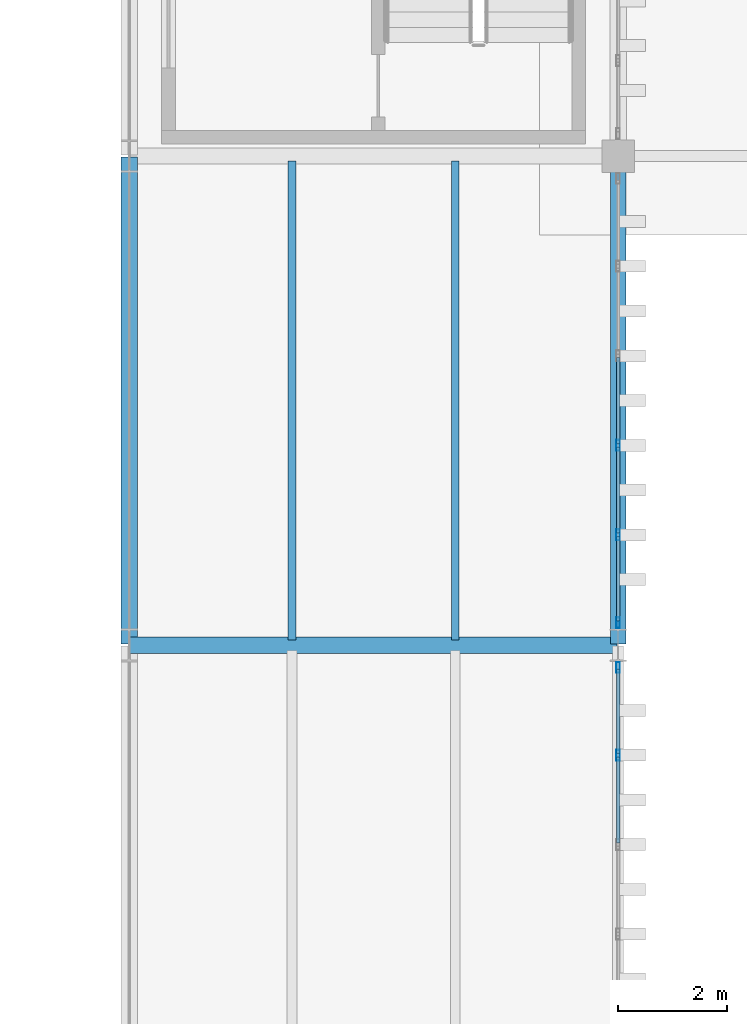
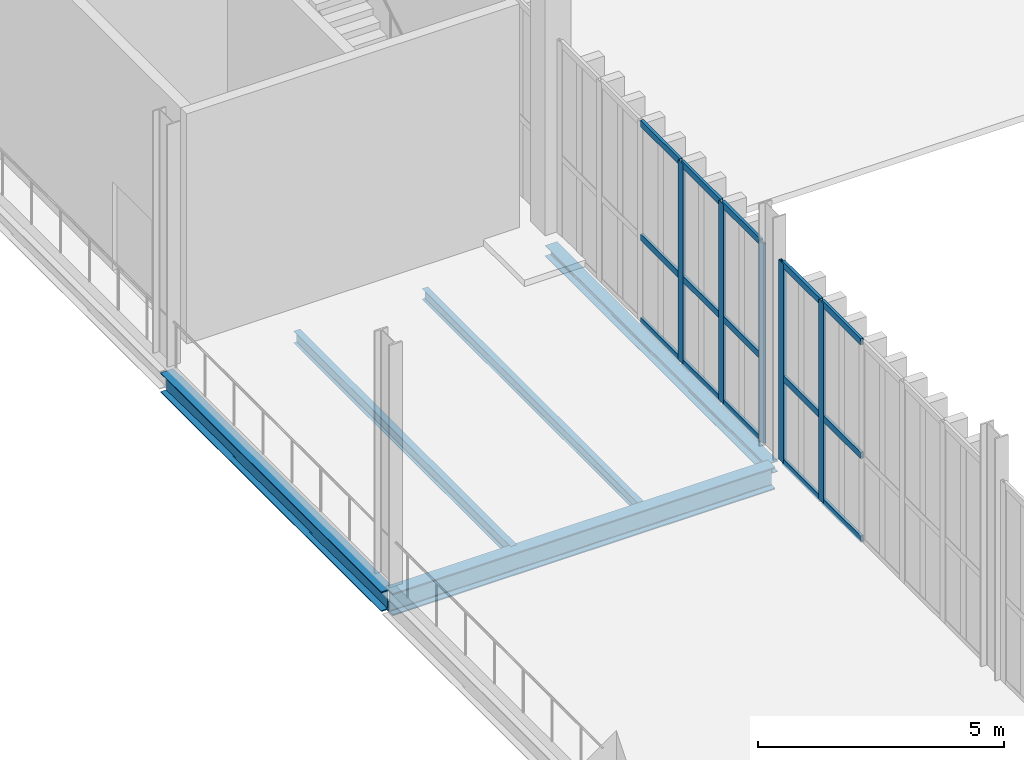
# One storey, part 44 of 211: 20 members, 5 beams, 2 elements without a shape of their own.
"""IFC4 building model written with IfcOpenShell, lengths in metres."""

from ifc_helpers import new_model, si_unit, direction, frame, origin, origin_2d, place, context, subcontext, project, spatial, hollow_rectangle, i_section, extrude, material, layer, layer_set, material_profile, profile_set, type_object, element, aggregate, save


model = new_model("IFC4")

# Units and contexts
model_context = context("Model", 3, precision=1e-05, world=origin(), true_north=direction((0.0, 1.0)))
body_context = subcontext(model_context, "Body", "Model", "MODEL_VIEW")
ifc_project = project(units=[si_unit("LENGTHUNIT", "METRE"), si_unit("AREAUNIT", "SQUARE_METRE"), si_unit("VOLUMEUNIT", "CUBIC_METRE"), si_unit("PLANEANGLEUNIT", "RADIAN"), si_unit("MASSUNIT", "GRAM", prefix="KILO")], contexts=[model_context])

# Site, building, storey
site_placement = place(None, origin())
site = spatial("IfcSite", under=ifc_project, at=site_placement, CompositionType="ELEMENT")
building_placement = place(site_placement, origin())
building = spatial("IfcBuilding", under=site, at=building_placement, Name="Barlavento Convention Centre", CompositionType="ELEMENT")
storey_placement = place(building_placement, frame((0.0, 0.0, 6.0)))
storey = spatial("IfcBuildingStorey", under=building, at=storey_placement, Name="L01", CompositionType="ELEMENT", Elevation=6.0)

# Curtain wall, members
ifc_material_1 = material(Name="Powder-coated aluminium and Low-E glass", Category="aluminium")
ifc_layer = layer(ifc_material_1, 0.18505859375)
ifc_layer_set = layer_set([ifc_layer], Name="ARC-CW-CONG-L01")
curtain_wall_type = type_object("IfcCurtainWallType", Name="ARC-CW-CONG-L01", PredefinedType="NOTDEFINED", material=ifc_layer_set)
curtain_wall_1_placement = place(storey_placement, origin())
curtain_wall_1 = element("IfcCurtainWall", 1, at=curtain_wall_1_placement, inside=storey, type_object=curtain_wall_type, Name="L01 unitised curtain wall CW01", PredefinedType="NOTDEFINED")
ifc_material_2 = material(Name="Powder-coated aluminium", Category="aluminium")
ifc_material_profile_1 = material_profile(ifc_material_2, hollow_rectangle(XDim=0.06494140625, YDim=0.199951171875, WallThickness=0.0048828125, at=origin_2d()), Name="AL-MULL 65x200x5")
ifc_profile_set_1 = profile_set([ifc_material_profile_1], Name="Powder-coated aluminium")
member_type_1 = type_object("IfcMemberType", Name="ARC-CWM-65X200", PredefinedType="MULLION", material=ifc_profile_set_1)
member_1_placement = place(storey_placement, frame((63.0, 24.97412109375, 0.0), z_axis=(0.0, 0.0, 1.0), x_axis=(-1.0, 0.0, 0.0)))
member_1 = element("IfcMember", 2, at=member_1_placement, type_object=member_type_1, Name="CW01 mullion 5", PredefinedType="MULLION", context=body_context, shape_type="SweptSolid", body=[
    extrude(hollow_rectangle(XDim=0.06494140625, YDim=0.199951171875, WallThickness=0.0048828125, at=origin_2d()), origin(), (0.0, 0.0, 1.0), 4.949951171875),
])
member_2_placement = place(storey_placement, frame((63.0, 26.58740234375, 0.0), z_axis=(0.0, 0.0, 1.0), x_axis=(-1.0, 0.0, 0.0)))
member_2 = element("IfcMember", 3, at=member_2_placement, type_object=member_type_1, Name="CW01 mullion 6", PredefinedType="MULLION", context=body_context, shape_type="SweptSolid", body=[
    extrude(hollow_rectangle(XDim=0.06494140625, YDim=0.199951171875, WallThickness=0.0048828125, at=origin_2d()), origin(), (0.0, 0.0, 1.0), 4.949951171875),
])

curtain_wall_2_placement = place(storey_placement, origin())
curtain_wall_2 = element("IfcCurtainWall", 4, at=curtain_wall_2_placement, inside=storey, type_object=curtain_wall_type, Name="L01 unitised curtain wall CW01", PredefinedType="NOTDEFINED")
member_3_placement = place(storey_placement, frame((63.0, 27.41259765625, 0.0), z_axis=(0.0, 0.0, 1.0), x_axis=(-1.0, 0.0, 0.0)))
member_3 = element("IfcMember", 5, at=member_3_placement, type_object=member_type_1, Name="CW01 mullion 1", PredefinedType="MULLION", context=body_context, shape_type="SweptSolid", body=[
    extrude(hollow_rectangle(XDim=0.06494140625, YDim=0.199951171875, WallThickness=0.0048828125, at=origin_2d()), origin(), (0.0, 0.0, 1.0), 4.949951171875),
])
member_4_placement = place(storey_placement, frame((63.0, 29.028076171875, 0.0), z_axis=(0.0, 0.0, 1.0), x_axis=(-1.0, 0.0, 0.0)))
member_4 = element("IfcMember", 6, at=member_4_placement, type_object=member_type_1, Name="CW01 mullion 2", PredefinedType="MULLION", context=body_context, shape_type="SweptSolid", body=[
    extrude(hollow_rectangle(XDim=0.06494140625, YDim=0.199951171875, WallThickness=0.0048828125, at=origin_2d()), origin(), (0.0, 0.0, 1.0), 4.949951171875),
])
member_5_placement = place(storey_placement, frame((63.0, 30.676025390625, 0.0), z_axis=(0.0, 0.0, 1.0), x_axis=(-1.0, 0.0, 0.0)))
member_5 = element("IfcMember", 7, at=member_5_placement, type_object=member_type_1, Name="CW01 mullion 3", PredefinedType="MULLION", context=body_context, shape_type="SweptSolid", body=[
    extrude(hollow_rectangle(XDim=0.06494140625, YDim=0.199951171875, WallThickness=0.0048828125, at=origin_2d()), origin(), (0.0, 0.0, 1.0), 4.949951171875),
])

# Member
ifc_material_profile_2 = material_profile(ifc_material_2, hollow_rectangle(XDim=0.06494140625, YDim=0.159912109375, WallThickness=0.0048828125, at=origin_2d()), Name="AL-TRAN 65x160x5")
ifc_profile_set_2 = profile_set([ifc_material_profile_2], Name="Powder-coated aluminium")
member_type_2 = type_object("IfcMemberType", Name="ARC-CWT-65X160", PredefinedType="USERDEFINED", material=ifc_profile_set_2)
member_6_placement = place(storey_placement, frame((63.0, 23.360595703125, 0.032470703125), z_axis=(0.0, 1.0, 0.0), x_axis=(-1.0, 0.0, 0.0)))
member_6 = element("IfcMember", 8, at=member_6_placement, type_object=member_type_2, Name="CW01 transom 4.1", ObjectType="TRANSOM", PredefinedType="USERDEFINED", context=body_context, shape_type="SweptSolid", body=[
    extrude(hollow_rectangle(XDim=0.06494140625, YDim=0.159912109375, WallThickness=0.0048828125, at=origin_2d()), origin(), (0.0, 0.0, 1.0), 1.580810546875),
])

member_7_placement = place(storey_placement, frame((63.0, 23.360595703125, 2.10009765625), z_axis=(0.0, 1.0, 0.0), x_axis=(-1.0, 0.0, 0.0)))
member_7 = element("IfcMember", 9, at=member_7_placement, type_object=member_type_2, Name="CW01 transom 4.2", ObjectType="TRANSOM", PredefinedType="USERDEFINED", context=body_context, shape_type="SweptSolid", body=[
    extrude(hollow_rectangle(XDim=0.06494140625, YDim=0.159912109375, WallThickness=0.0048828125, at=origin_2d()), origin(), (0.0, 0.0, 1.0), 1.580810546875),
])

member_8_placement = place(storey_placement, frame((63.0, 23.360595703125, 4.91748046875), z_axis=(0.0, 1.0, 0.0), x_axis=(-1.0, 0.0, 0.0)))
member_8 = element("IfcMember", 10, at=member_8_placement, type_object=member_type_2, Name="CW01 transom 4.3", ObjectType="TRANSOM", PredefinedType="USERDEFINED", context=body_context, shape_type="SweptSolid", body=[
    extrude(hollow_rectangle(XDim=0.06494140625, YDim=0.159912109375, WallThickness=0.0048828125, at=origin_2d()), origin(), (0.0, 0.0, 1.0), 1.580810546875),
])

member_9_placement = place(storey_placement, frame((63.0, 25.006591796875, 0.032470703125), z_axis=(0.0, 1.0, 0.0), x_axis=(-1.0, 0.0, 0.0)))
member_9 = element("IfcMember", 11, at=member_9_placement, type_object=member_type_2, Name="CW01 transom 5.1", ObjectType="TRANSOM", PredefinedType="USERDEFINED", context=body_context, shape_type="SweptSolid", body=[
    extrude(hollow_rectangle(XDim=0.06494140625, YDim=0.159912109375, WallThickness=0.0048828125, at=origin_2d()), origin(), (0.0, 0.0, 1.0), 1.54833984375),
])

member_10_placement = place(storey_placement, frame((63.0, 25.006591796875, 2.10009765625), z_axis=(0.0, 1.0, 0.0), x_axis=(-1.0, 0.0, 0.0)))
member_10 = element("IfcMember", 12, at=member_10_placement, type_object=member_type_2, Name="CW01 transom 5.2", ObjectType="TRANSOM", PredefinedType="USERDEFINED", context=body_context, shape_type="SweptSolid", body=[
    extrude(hollow_rectangle(XDim=0.06494140625, YDim=0.159912109375, WallThickness=0.0048828125, at=origin_2d()), origin(), (0.0, 0.0, 1.0), 1.54833984375),
])

member_11_placement = place(storey_placement, frame((63.0, 25.006591796875, 4.91748046875), z_axis=(0.0, 1.0, 0.0), x_axis=(-1.0, 0.0, 0.0)))
member_11 = element("IfcMember", 13, at=member_11_placement, type_object=member_type_2, Name="CW01 transom 5.3", ObjectType="TRANSOM", PredefinedType="USERDEFINED", context=body_context, shape_type="SweptSolid", body=[
    extrude(hollow_rectangle(XDim=0.06494140625, YDim=0.159912109375, WallThickness=0.0048828125, at=origin_2d()), origin(), (0.0, 0.0, 1.0), 1.54833984375),
])

aggregate(curtain_wall_1, [member_1, member_2, member_6, member_7, member_8, member_9, member_10, member_11])

member_12_placement = place(storey_placement, frame((63.0, 27.445068359375, 0.032470703125), z_axis=(0.0, 1.0, 0.0), x_axis=(-1.0, 0.0, 0.0)))
member_12 = element("IfcMember", 14, at=member_12_placement, type_object=member_type_2, Name="CW01 transom 1.1", ObjectType="TRANSOM", PredefinedType="USERDEFINED", context=body_context, shape_type="SweptSolid", body=[
    extrude(hollow_rectangle(XDim=0.06494140625, YDim=0.159912109375, WallThickness=0.0048828125, at=origin_2d()), origin(), (0.0, 0.0, 1.0), 1.550537109375),
])

member_13_placement = place(storey_placement, frame((63.0, 27.445068359375, 2.10009765625), z_axis=(0.0, 1.0, 0.0), x_axis=(-1.0, 0.0, 0.0)))
member_13 = element("IfcMember", 15, at=member_13_placement, type_object=member_type_2, Name="CW01 transom 1.2", ObjectType="TRANSOM", PredefinedType="USERDEFINED", context=body_context, shape_type="SweptSolid", body=[
    extrude(hollow_rectangle(XDim=0.06494140625, YDim=0.159912109375, WallThickness=0.0048828125, at=origin_2d()), origin(), (0.0, 0.0, 1.0), 1.550537109375),
])

member_14_placement = place(storey_placement, frame((63.0, 27.445068359375, 4.91748046875), z_axis=(0.0, 1.0, 0.0), x_axis=(-1.0, 0.0, 0.0)))
member_14 = element("IfcMember", 16, at=member_14_placement, type_object=member_type_2, Name="CW01 transom 1.3", ObjectType="TRANSOM", PredefinedType="USERDEFINED", context=body_context, shape_type="SweptSolid", body=[
    extrude(hollow_rectangle(XDim=0.06494140625, YDim=0.159912109375, WallThickness=0.0048828125, at=origin_2d()), origin(), (0.0, 0.0, 1.0), 1.550537109375),
])

member_15_placement = place(storey_placement, frame((63.0, 29.060546875, 0.032470703125), z_axis=(0.0, 1.0, 0.0), x_axis=(-1.0, 0.0, 0.0)))
member_15 = element("IfcMember", 17, at=member_15_placement, type_object=member_type_2, Name="CW01 transom 2.1", ObjectType="TRANSOM", PredefinedType="USERDEFINED", context=body_context, shape_type="SweptSolid", body=[
    extrude(hollow_rectangle(XDim=0.06494140625, YDim=0.159912109375, WallThickness=0.0048828125, at=origin_2d()), origin(), (0.0, 0.0, 1.0), 1.5830078125),
])

member_16_placement = place(storey_placement, frame((63.0, 29.060546875, 2.10009765625), z_axis=(0.0, 1.0, 0.0), x_axis=(-1.0, 0.0, 0.0)))
member_16 = element("IfcMember", 18, at=member_16_placement, type_object=member_type_2, Name="CW01 transom 2.2", ObjectType="TRANSOM", PredefinedType="USERDEFINED", context=body_context, shape_type="SweptSolid", body=[
    extrude(hollow_rectangle(XDim=0.06494140625, YDim=0.159912109375, WallThickness=0.0048828125, at=origin_2d()), origin(), (0.0, 0.0, 1.0), 1.5830078125),
])

member_17_placement = place(storey_placement, frame((63.0, 29.060546875, 4.91748046875), z_axis=(0.0, 1.0, 0.0), x_axis=(-1.0, 0.0, 0.0)))
member_17 = element("IfcMember", 19, at=member_17_placement, type_object=member_type_2, Name="CW01 transom 2.3", ObjectType="TRANSOM", PredefinedType="USERDEFINED", context=body_context, shape_type="SweptSolid", body=[
    extrude(hollow_rectangle(XDim=0.06494140625, YDim=0.159912109375, WallThickness=0.0048828125, at=origin_2d()), origin(), (0.0, 0.0, 1.0), 1.5830078125),
])

member_18_placement = place(storey_placement, frame((63.0, 30.70849609375, 0.032470703125), z_axis=(0.0, 1.0, 0.0), x_axis=(-1.0, 0.0, 0.0)))
member_18 = element("IfcMember", 20, at=member_18_placement, type_object=member_type_2, Name="CW01 transom 3.1", ObjectType="TRANSOM", PredefinedType="USERDEFINED", context=body_context, shape_type="SweptSolid", body=[
    extrude(hollow_rectangle(XDim=0.06494140625, YDim=0.159912109375, WallThickness=0.0048828125, at=origin_2d()), origin(), (0.0, 0.0, 1.0), 1.5830078125),
])

member_19_placement = place(storey_placement, frame((63.0, 30.70849609375, 2.10009765625), z_axis=(0.0, 1.0, 0.0), x_axis=(-1.0, 0.0, 0.0)))
member_19 = element("IfcMember", 21, at=member_19_placement, type_object=member_type_2, Name="CW01 transom 3.2", ObjectType="TRANSOM", PredefinedType="USERDEFINED", context=body_context, shape_type="SweptSolid", body=[
    extrude(hollow_rectangle(XDim=0.06494140625, YDim=0.159912109375, WallThickness=0.0048828125, at=origin_2d()), origin(), (0.0, 0.0, 1.0), 1.5830078125),
])

member_20_placement = place(storey_placement, frame((63.0, 30.70849609375, 4.91748046875), z_axis=(0.0, 1.0, 0.0), x_axis=(-1.0, 0.0, 0.0)))
member_20 = element("IfcMember", 22, at=member_20_placement, type_object=member_type_2, Name="CW01 transom 3.3", ObjectType="TRANSOM", PredefinedType="USERDEFINED", context=body_context, shape_type="SweptSolid", body=[
    extrude(hollow_rectangle(XDim=0.06494140625, YDim=0.159912109375, WallThickness=0.0048828125, at=origin_2d()), origin(), (0.0, 0.0, 1.0), 1.5830078125),
])

aggregate(curtain_wall_2, [member_3, member_4, member_5, member_12, member_13, member_14, member_15, member_16, member_17, member_18, member_19, member_20])

# Beams
ifc_material_3 = material(Name="Steel S355", Category="steel")
ifc_material_profile_3 = material_profile(ifc_material_3, i_section(OverallWidth=0.135009765625, OverallDepth=0.27001953125, WebThickness=0.006591796875, FlangeThickness=0.01025390625, FilletRadius=0.014892578125, at=origin_2d()), Name="IPE 270")
ifc_profile_set_3 = profile_set([ifc_material_profile_3], Name="Steel S355")
beam_type_1 = type_object("IfcBeamType", Name="STR-BM-JST-IPE270", PredefinedType="JOIST", material=ifc_profile_set_3)
beam_1_placement = place(storey_placement, frame((60.0, 27.094970703125, -0.43505859375), z_axis=(0.0, 1.0, 0.0), x_axis=(-1.0, 0.0, 0.0)))
element("IfcBeam", 23, at=beam_1_placement, inside=storey, type_object=beam_type_1, Name="L01 composite floor joist SJ08", PredefinedType="JOIST", context=body_context, shape_type="SweptSolid", body=[
    extrude(i_section(OverallWidth=0.135009765625, OverallDepth=0.27001953125, WebThickness=0.006591796875, FlangeThickness=0.01025390625, FilletRadius=0.014892578125, at=origin_2d()), origin(), (0.0, 0.0, 1.0), 8.81005859375),
])
ifc_material_profile_4 = material_profile(ifc_material_3, i_section(OverallWidth=0.14990234375, OverallDepth=0.300048828125, WebThickness=0.007080078125, FlangeThickness=0.0107421875, FilletRadius=0.014892578125, at=origin_2d()), Name="IPE 300")
ifc_profile_set_4 = profile_set([ifc_material_profile_4], Name="Steel S355")
beam_type_2 = type_object("IfcBeamType", Name="STR-BM-JST-IPE300", PredefinedType="JOIST", material=ifc_profile_set_4)
beam_2_placement = place(storey_placement, frame((57.0, 27.094970703125, -0.449951171875), z_axis=(0.0, 1.0, 0.0), x_axis=(-1.0, 0.0, 0.0)))
element("IfcBeam", 24, at=beam_2_placement, inside=storey, type_object=beam_type_2, Name="L01 composite floor joist SJ07", PredefinedType="JOIST", context=body_context, shape_type="SweptSolid", body=[
    extrude(i_section(OverallWidth=0.14990234375, OverallDepth=0.300048828125, WebThickness=0.007080078125, FlangeThickness=0.0107421875, FilletRadius=0.014892578125, at=origin_2d()), origin(), (0.0, 0.0, 1.0), 8.81005859375),
])
ifc_material_profile_5 = material_profile(ifc_material_3, i_section(OverallWidth=0.300048828125, OverallDepth=0.489990234375, WebThickness=0.011962890625, FlangeThickness=0.02294921875, FilletRadius=0.027099609375, at=origin_2d()), Name="HEA 500")
ifc_profile_set_5 = profile_set([ifc_material_profile_5], Name="Steel S355")
beam_type_3 = type_object("IfcBeamType", Name="STR-BM-PRI-HEA500", PredefinedType="BEAM", material=ifc_profile_set_5)
beam_3_placement = place(storey_placement, frame((54.0, 27.02001953125, -0.544921875), z_axis=(0.0, 1.0, 0.0), x_axis=(-1.0, 0.0, 0.0)))
element("IfcBeam", 25, at=beam_3_placement, inside=storey, type_object=beam_type_3, Name="L01 grid girder BG20", PredefinedType="BEAM", context=body_context, shape_type="SweptSolid", body=[
    extrude(i_section(OverallWidth=0.300048828125, OverallDepth=0.489990234375, WebThickness=0.011962890625, FlangeThickness=0.02294921875, FilletRadius=0.027099609375, at=origin_2d()), origin(), (0.0, 0.0, 1.0), 8.9599609375),
])
ifc_material_profile_6 = material_profile(ifc_material_3, i_section(OverallWidth=0.300048828125, OverallDepth=0.550048828125, WebThickness=0.014892578125, FlangeThickness=0.029052734375, FilletRadius=0.027099609375, at=origin_2d()), Name="HEB 550")
ifc_profile_set_6 = profile_set([ifc_material_profile_6], Name="Steel S355")
beam_type_4 = type_object("IfcBeamType", Name="STR-BM-PRI-HEB550", PredefinedType="BEAM", material=ifc_profile_set_6)
beam_4_placement = place(storey_placement, frame((54.02001953125, 27.0, -0.574951171875), z_axis=(1.0, 0.0, 0.0), x_axis=(0.0, 1.0, 0.0)))
element("IfcBeam", 26, at=beam_4_placement, inside=storey, type_object=beam_type_4, Name="L01 primary girder BG08", PredefinedType="BEAM", context=body_context, shape_type="SweptSolid", body=[
    extrude(i_section(OverallWidth=0.300048828125, OverallDepth=0.550048828125, WebThickness=0.014892578125, FlangeThickness=0.029052734375, FilletRadius=0.027099609375, at=origin_2d()), origin(), (0.0, 0.0, 1.0), 8.9599609375),
])
ifc_material_profile_7 = material_profile(ifc_material_3, i_section(OverallWidth=0.280029296875, OverallDepth=0.27001953125, WebThickness=0.008056640625, FlangeThickness=0.012939453125, FilletRadius=0.02392578125, at=origin_2d()), Name="HEA 280")
ifc_profile_set_7 = profile_set([ifc_material_profile_7], Name="Steel S355")
beam_type_5 = type_object("IfcBeamType", Name="STR-BM-SPN-HEA280", PredefinedType="SPANDREL", material=ifc_profile_set_7)
beam_5_placement = place(storey_placement, frame((63.0, 27.02001953125, -0.43505859375), z_axis=(0.0, 1.0, 0.0), x_axis=(-1.0, 0.0, 0.0)))
element("IfcBeam", 27, at=beam_5_placement, inside=storey, type_object=beam_type_5, Name="L01 grid girder SP03", PredefinedType="SPANDREL", context=body_context, shape_type="SweptSolid", body=[
    extrude(i_section(OverallWidth=0.280029296875, OverallDepth=0.27001953125, WebThickness=0.008056640625, FlangeThickness=0.012939453125, FilletRadius=0.02392578125, at=origin_2d()), origin(), (0.0, 0.0, 1.0), 8.9599609375),
])

save(model, "model.ifc")
